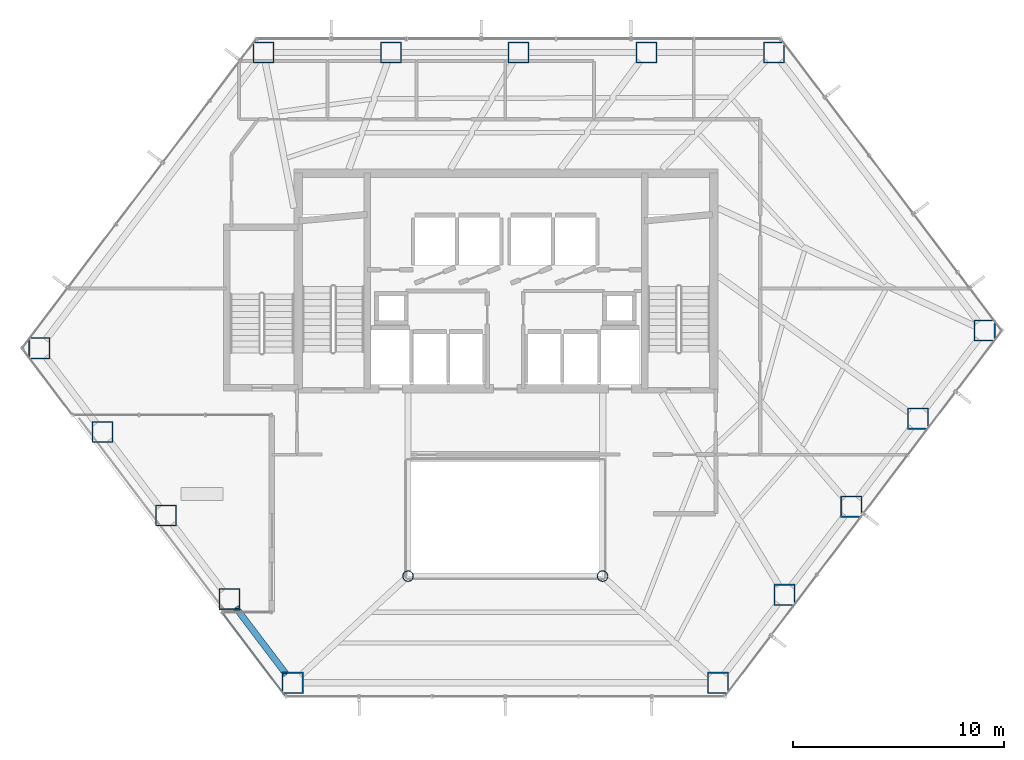
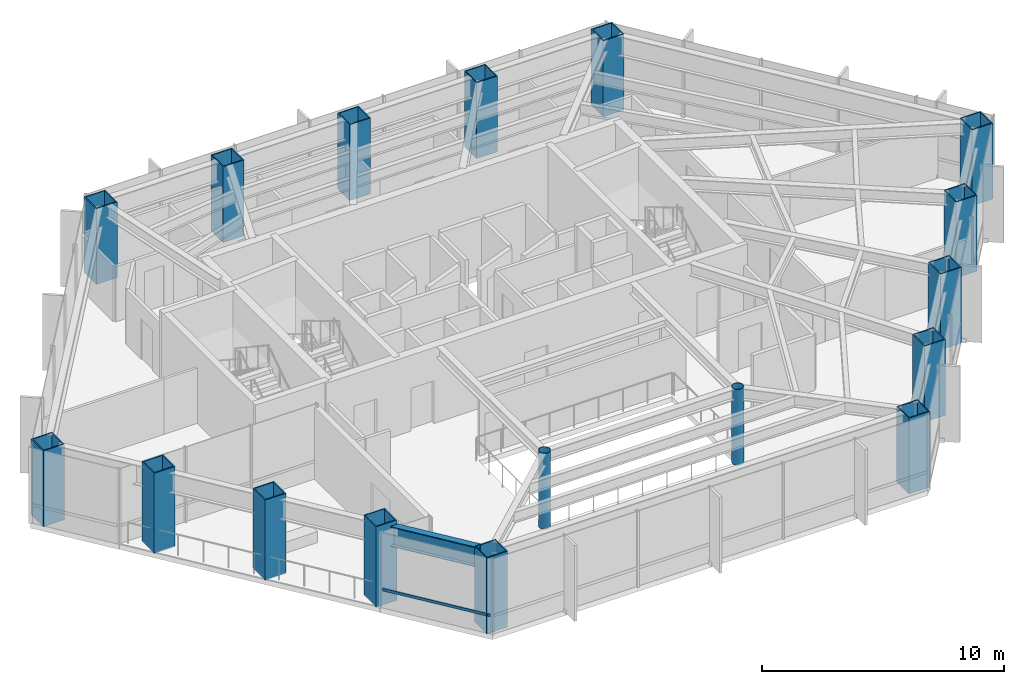
# One storey, part 1 of 24: 17 columns, 1 beam, 1 member, 1 element without a shape of its own.
"""IFC4 building model written with IfcOpenShell, lengths in metres."""

from ifc_helpers import new_model, si_unit, direction, frame, origin, origin_2d, place, context, subcontext, project, spatial, hollow_rectangle, hollow_circle, i_section, extrude, material, layer, layer_set, material_profile, profile_set, type_object, element, aggregate, save


model = new_model("IFC4")

# Units and contexts
model_context = context("Model", 3, precision=1e-05, world=origin(), true_north=direction((0.0, 1.0)))
body_context = subcontext(model_context, "Body", "Model", "MODEL_VIEW")
ifc_project = project(units=[si_unit("LENGTHUNIT", "METRE"), si_unit("AREAUNIT", "SQUARE_METRE"), si_unit("VOLUMEUNIT", "CUBIC_METRE"), si_unit("PLANEANGLEUNIT", "RADIAN"), si_unit("MASSUNIT", "GRAM", prefix="KILO")], contexts=[model_context])

# Site, building, storey
site_placement = place(None, origin())
site = spatial("IfcSite", under=ifc_project, at=site_placement, CompositionType="ELEMENT")
building_placement = place(site_placement, origin())
building = spatial("IfcBuilding", under=site, at=building_placement, Name="Zarrinselat Tower", CompositionType="ELEMENT")
storey_placement = place(building_placement, frame((0.0, 0.0, 64.260009765625)))
storey = spatial("IfcBuildingStorey", under=building, at=storey_placement, Name="L15", CompositionType="ELEMENT", Elevation=64.260009765625)

# Columns
ifc_material_1 = material(Name="Steel S355J2", Category="steel")
ifc_material_profile_1 = material_profile(ifc_material_1, hollow_circle(Radius=0.25390625, WallThickness=0.02001953125, at=origin_2d()), Name="CHS 508x20")
ifc_profile_set_1 = profile_set([ifc_material_profile_1], Name="Steel S355J2")
column_type_1 = type_object("IfcColumnType", Name="COL-CHS508", PredefinedType="COLUMN", material=ifc_profile_set_1)
for number, where, z_axis, x_axis, name in (
    (1, (33.800048828125, 24.39990234375, 0.0), (0.0, 0.0, 1.0), (1.0, 0.0, 0.0), "L15 Atrium Corner Column 1"),
    (2, (43.0, 24.39990234375, 0.0), (0.0, 0.0, 1.0), (1.0, 0.0, 0.0), "L15 Atrium Corner Column 2"),
):
    element("IfcColumn", number, at=place(storey_placement, frame(where, z_axis=z_axis, x_axis=x_axis)), inside=storey, type_object=column_type_1, Name=name, PredefinedType="COLUMN", context=body_context, shape_type="SweptSolid", body=[
        extrude(hollow_circle(Radius=0.25390625, WallThickness=0.02001953125, at=origin_2d()), origin(), (0.0, 0.0, 1.0), 3.820068359375),
    ])
ifc_material_2 = material(Name="Steel S460M", Category="steel")
ifc_material_profile_2 = material_profile(ifc_material_2, hollow_rectangle(XDim=1.0, YDim=1.0, WallThickness=0.050048828125, at=origin_2d()), Name="SHS 1000x1000x50")
ifc_profile_set_2 = profile_set([ifc_material_profile_2], Name="Steel S460M")
column_type_2 = type_object("IfcColumnType", Name="COL-SHS1000", PredefinedType="COLUMN", material=ifc_profile_set_2)
for number, where, z_axis, x_axis, name in (
    (3, (51.102783203125, 49.1611328125, 0.0), (0.0, 0.0, 1.0), (1.0, 0.0, 0.0), "L15 Framed-Tube Column T01"),
    (4, (45.067138671875, 49.1611328125, 0.0), (0.0, 0.0, 1.0), (1.0, 0.0, 0.0), "L15 Framed-Tube Column T02"),
    (5, (39.03125, 49.1611328125, 0.0), (0.0, 0.0, 1.0), (1.0, 0.0, 0.0), "L15 Framed-Tube Column T03"),
    (6, (32.995361328125, 49.1611328125, 0.0), (0.0, 0.0, 1.0), (1.0, 0.0, 0.0), "L15 Framed-Tube Column T04"),
    (7, (26.959716796875, 49.1611328125, 0.0), (0.0, 0.0, 1.0), (1.0, 0.0, 0.0), "L15 Framed-Tube Column T05"),
    (8, (16.364013671875, 35.1748046875, 0.0), (0.0, 0.0, 1.0), (1.0, 0.0, 0.0), "L15 Framed-Tube Column T06"),
):
    element("IfcColumn", number, at=place(storey_placement, frame(where, z_axis=z_axis, x_axis=x_axis)), inside=storey, type_object=column_type_2, Name=name, PredefinedType="COLUMN", context=body_context, shape_type="SweptSolid", body=[
        extrude(hollow_rectangle(XDim=1.0, YDim=1.0, WallThickness=0.050048828125, at=origin_2d()), origin(), (0.0, 0.0, 1.0), 3.820068359375),
    ])
for number, where, z_axis, x_axis, name in (
    (9, (19.360107421875, 31.22021484375, 0.0), (0.0, 0.0, 1.0), (1.0, 0.0, 0.0), "L15 Framed-Tube Column T07"),
    (10, (22.35595703125, 27.265625, 0.0), (0.0, 0.0, 1.0), (1.0, 0.0, 0.0), "L15 Framed-Tube Column T08"),
    (11, (25.351806640625, 23.31103515625, 0.0), (0.0, 0.0, 1.0), (1.0, 0.0, 0.0), "L15 Framed-Tube Column T09"),
):
    element("IfcColumn", number, at=place(storey_placement, frame(where, z_axis=z_axis, x_axis=x_axis)), inside=storey, type_object=column_type_2, Name=name, PredefinedType="COLUMN", context=body_context, shape_type="SweptSolid", body=[
        extrude(hollow_rectangle(XDim=1.0, YDim=1.0, WallThickness=0.050048828125, at=origin_2d()), origin(), (0.0, 0.0, 1.0), 4.0400390625),
    ])
for number, where, z_axis, x_axis, name in (
    (12, (28.34765625, 19.3564453125, 0.0), (0.0, 0.0, 1.0), (1.0, 0.0, 0.0), "L15 Framed-Tube Column T10"),
    (13, (48.452392578125, 19.3564453125, 0.0), (0.0, 0.0, 1.0), (1.0, 0.0, 0.0), "L15 Framed-Tube Column T11"),
    (14, (51.60595703125, 23.519287109375, 0.0), (0.0, 0.0, 1.0), (1.0, 0.0, 0.0), "L15 Framed-Tube Column T12"),
    (15, (54.759765625, 27.682373046875, 0.0), (0.0, 0.0, 1.0), (1.0, 0.0, 0.0), "L15 Framed-Tube Column T13"),
    (16, (57.91357421875, 31.84521484375, 0.0), (0.0, 0.0, 1.0), (1.0, 0.0, 0.0), "L15 Framed-Tube Column T14"),
    (17, (61.067138671875, 36.00830078125, 0.0), (0.0, 0.0, 1.0), (1.0, 0.0, 0.0), "L15 Framed-Tube Column T15"),
):
    element("IfcColumn", number, at=place(storey_placement, frame(where, z_axis=z_axis, x_axis=x_axis)), inside=storey, type_object=column_type_2, Name=name, PredefinedType="COLUMN", context=body_context, shape_type="SweptSolid", body=[
        extrude(hollow_rectangle(XDim=1.0, YDim=1.0, WallThickness=0.050048828125, at=origin_2d()), origin(), (0.0, 0.0, 1.0), 3.820068359375),
    ])

# Beam
ifc_material_3 = material(Name="Steel S460M", Category="steel")
ifc_material_profile_3 = material_profile(ifc_material_3, i_section(OverallWidth=0.302001953125, OverallDepth=1.008056640625, WebThickness=0.02099609375, FlangeThickness=0.0400390625, at=origin_2d()), Name="HEM 1000")
ifc_profile_set_3 = profile_set([ifc_material_profile_3], Name="Steel S460M")
beam_type = type_object("IfcBeamType", Name="BM-HEM1000", PredefinedType="BEAM", material=ifc_profile_set_3)
beam_placement = place(storey_placement, frame((25.646484375, 22.922119140625, 3.31591796875), z_axis=(0.603864764973, -0.797086786758, 0.0), x_axis=(0.797086786758, 0.603864764973, 0.0)))
element("IfcBeam", 18, at=beam_placement, inside=storey, type_object=beam_type, Name="L15 Perimeter Spandrel Girder SP09", PredefinedType="BEAM", context=body_context, shape_type="SweptSolid", body=[
    extrude(i_section(OverallWidth=0.302001953125, OverallDepth=1.008056640625, WebThickness=0.02099609375, FlangeThickness=0.0400390625, at=origin_2d()), origin(), (0.0, 0.0, 1.0), 3.985107421875),
])

# Curtain wall, member
ifc_material_4 = material(Name="Extruded Aluminium Alloy EN AW-6063 T6", Category="aluminium")
ifc_layer = layer(ifc_material_4, 0.18505859375)
ifc_layer_set = layer_set([ifc_layer], Name="Extruded Aluminium Alloy EN AW-6063 T6")
curtain_wall_type = type_object("IfcCurtainWallType", Name="CWS-OFF", PredefinedType="NOTDEFINED", material=ifc_layer_set)
curtain_wall_placement = place(storey_placement, origin())
curtain_wall = element("IfcCurtainWall", 19, at=curtain_wall_placement, inside=storey, type_object=curtain_wall_type, Name="L15 Unitised Curtain Wall CW-L15-E06", PredefinedType="NOTDEFINED")
ifc_material_5 = material(Name="Extruded Aluminium Alloy EN AW-6063 T6", Category="aluminium")
ifc_material_profile_4 = material_profile(ifc_material_5, hollow_rectangle(XDim=0.06005859375, YDim=0.139892578125, WallThickness=0.00390625, at=origin_2d()), Name="RHS 140x60x4")
ifc_profile_set_4 = profile_set([ifc_material_profile_4], Name="Extruded Aluminium Alloy EN AW-6063 T6")
member_type = type_object("IfcMemberType", Name="MEM-CW-TRN", PredefinedType="USERDEFINED", material=ifc_profile_set_4)
member_placement = place(storey_placement, frame((27.970458984375, 18.7783203125, 0.949951171875), z_axis=(-0.603875243226, 0.797078848433, 0.0), x_axis=(-0.797078848433, -0.603875243226, 0.0)))
member = element("IfcMember", 20, at=member_placement, type_object=member_type, Name="CW-L15-E06 Transom 1", ObjectType="TRANSOM", PredefinedType="USERDEFINED", context=body_context, shape_type="SweptSolid", body=[
    extrude(hollow_rectangle(XDim=0.06005859375, YDim=0.139892578125, WallThickness=0.00390625, at=origin_2d()), origin(), (0.0, 0.0, 1.0), 4.819580078125),
])
aggregate(curtain_wall, [member])

save(model, "model.ifc")
